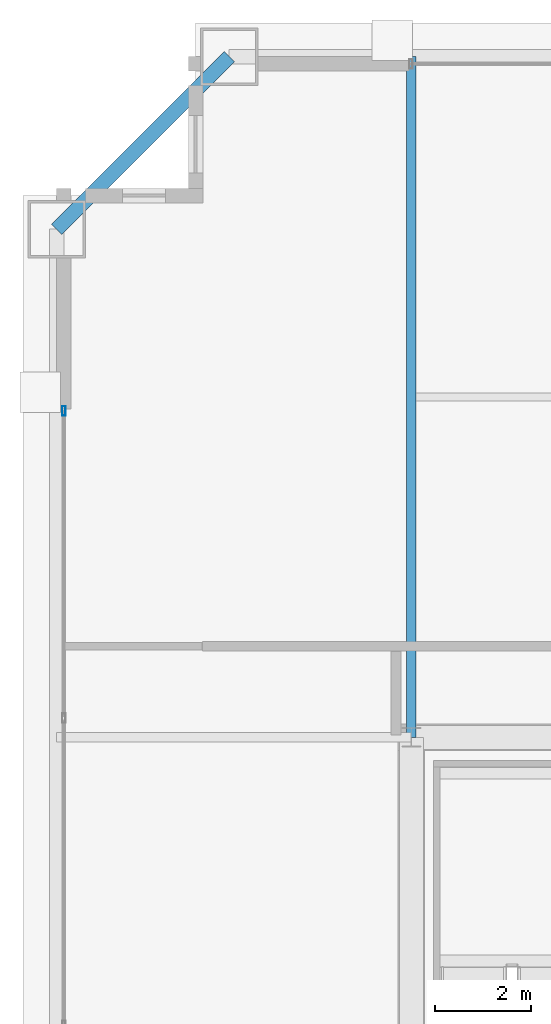
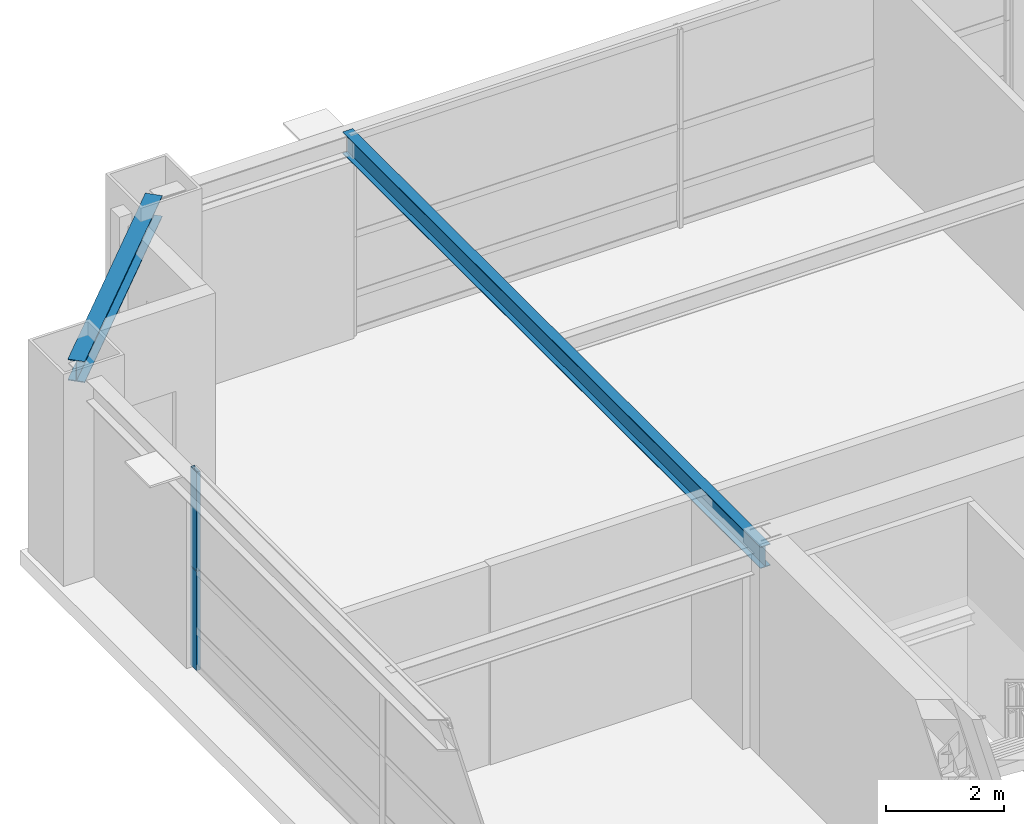
# One storey, part 16 of 26: 2 beams, 2 members, 1 element without a shape of its own.
"""IFC4 building model written with IfcOpenShell, lengths in metres."""

from ifc_helpers import new_model, si_unit, direction, frame, origin, origin_2d, place, context, subcontext, project, spatial, hollow_rectangle, i_section, extrude, source, transform, mapped, material, layer, layer_set, material_profile, profile_set, type_object, element, aggregate, save


model = new_model("IFC4")

# Units and contexts
model_context = context("Model", 3, precision=1e-05, world=origin(), true_north=direction((0.0, 1.0)))
body_context = subcontext(model_context, "Body", "Model", "MODEL_VIEW")
ifc_project = project(units=[si_unit("LENGTHUNIT", "METRE"), si_unit("AREAUNIT", "SQUARE_METRE"), si_unit("VOLUMEUNIT", "CUBIC_METRE"), si_unit("PLANEANGLEUNIT", "RADIAN"), si_unit("MASSUNIT", "GRAM", prefix="KILO"), si_unit("THERMODYNAMICTEMPERATUREUNIT", "KELVIN"), si_unit("POWERUNIT", "WATT")], contexts=[model_context])

# Site, building, storey
site_placement = place(None, origin())
site = spatial("IfcSite", under=ifc_project, at=site_placement, CompositionType="ELEMENT")
building_placement = place(site_placement, origin())
building = spatial("IfcBuilding", under=site, at=building_placement, Name="Yuzanri Waterfront Tower", CompositionType="ELEMENT")
storey_placement = place(building_placement, frame((0.0, 0.0, 259.10009765625)))
storey = spatial("IfcBuildingStorey", under=building, at=storey_placement, Name="L69", CompositionType="ELEMENT", Elevation=259.10009765625)

# Beams
ifc_material_1 = material(Name="Steel Q355B", Category="steel")
ifc_material_profile_1 = material_profile(ifc_material_1, i_section(OverallWidth=0.300048828125, OverallDepth=0.43994140625, WebThickness=0.010986328125, FlangeThickness=0.01806640625, at=origin_2d()), Name="HM 440x300x11x18")
ifc_profile_set_1 = profile_set([ifc_material_profile_1], Name="Steel Q355B")
beam_type_1 = type_object("IfcBeamType", Name="Perimeter Spandrel Q355B HM 440x300", PredefinedType="SPANDREL", material=ifc_profile_set_1)
shared_shape_1 = source(origin(), body_context, "Body", "SweptSolid", [
    extrude(i_section(OverallWidth=0.300048828125, OverallDepth=0.43994140625, WebThickness=0.010986328125, FlangeThickness=0.01806640625, at=origin_2d()), origin(), (0.0, 0.0, 1.0), 5.091064453125),
])
beam_1_placement = place(storey_placement, frame((20.0, 46.39990234375, 3.89990234375), z_axis=(-0.707130757816, -0.707082803744, 0.0), x_axis=(0.707082803744, -0.707130757816, 0.0)))
element("IfcBeam", 1, at=beam_1_placement, inside=storey, type_object=beam_type_1, Name="L69 Perimeter Spandrel N1-W3", PredefinedType="SPANDREL", context=body_context, shape_type="MappedRepresentation", body=[
    mapped(shared_shape_1, transform((0.0, 0.0, 0.0), scale=1.0)),
])
ifc_material_2 = material(Name="Steel Q355B", Category="steel")
ifc_material_profile_2 = material_profile(ifc_material_2, i_section(OverallWidth=0.199951171875, OverallDepth=0.449951171875, WebThickness=0.009033203125, FlangeThickness=0.013916015625, at=origin_2d()), Name="HN 450x200x9x14")
ifc_profile_set_2 = profile_set([ifc_material_profile_2], Name="Steel Q355B")
beam_type_2 = type_object("IfcBeamType", Name="Secondary Floor Beam Q355B HN 450x200", PredefinedType="BEAM", material=ifc_profile_set_2)
shared_shape_2 = source(origin(), body_context, "Body", "SweptSolid", [
    extrude(i_section(OverallWidth=0.199951171875, OverallDepth=0.449951171875, WebThickness=0.009033203125, FlangeThickness=0.013916015625, at=origin_2d()), origin(), (0.0, 0.0, 1.0), 14.199951171875),
])
beam_2_placement = place(storey_placement, frame((23.800048828125, 32.199951171875, 3.89501953125), z_axis=(0.0, 1.0, 0.0), x_axis=(-1.0, 0.0, 0.0)))
element("IfcBeam", 2, at=beam_2_placement, inside=storey, type_object=beam_type_2, Name="L69 North-West Core Line Beam", PredefinedType="BEAM", context=body_context, shape_type="MappedRepresentation", body=[
    mapped(shared_shape_2, transform((0.0, 0.0, 0.0), scale=1.0)),
])

# Curtain wall, members
ifc_material_3 = material(Name="Anodized Architectural Bronze", Category="metal")
ifc_layer = layer(ifc_material_3, 0.159912109375)
ifc_layer_set = layer_set([ifc_layer], Name="Anodized Architectural Bronze")
curtain_wall_type = type_object("IfcCurtainWallType", Name="Anodized Bronze Sky-Lobby Triple-Glazed Feature Curtain Wall 7500", PredefinedType="NOTDEFINED", material=ifc_layer_set)
curtain_wall_placement = place(storey_placement, origin())
curtain_wall = element("IfcCurtainWall", 3, at=curtain_wall_placement, inside=storey, type_object=curtain_wall_type, Name="L69 Curtain Wall CW-L69-WR", PredefinedType="NOTDEFINED")
ifc_material_4 = material(Name="Anodized Architectural Bronze", Category="metal")
ifc_material_profile_3 = material_profile(ifc_material_4, hollow_rectangle(XDim=0.074951171875, YDim=0.199951171875, WallThickness=0.00390625, at=origin_2d()), Name="CWM 75x200")
ifc_profile_set_3 = profile_set([ifc_material_profile_3], Name="Anodized Architectural Bronze")
member_type = type_object("IfcMemberType", Name="Anodized Bronze Primary Curtain-Wall Mullion 75x200", PredefinedType="MULLION", material=ifc_profile_set_3)
shared_shape_3 = source(origin(), body_context, "Body", "SweptSolid", [
    extrude(hollow_rectangle(XDim=0.074951171875, YDim=0.199951171875, WallThickness=0.00390625, at=origin_2d()), origin(), (0.0, 0.0, 1.0), 2.057861328125),
])
member_1_placement = place(storey_placement, frame((16.550048828125, 39.010009765625, 0.0), z_axis=(0.0, 0.0, 1.0), x_axis=(1.0, 0.0, 0.0)))
member_1 = element("IfcMember", 4, at=member_1_placement, type_object=member_type, Name="CW-L69-WR Lower Mullion 02", PredefinedType="MULLION", context=body_context, shape_type="MappedRepresentation", body=[
    mapped(shared_shape_3, transform((0.0, 0.0, 0.0), scale=1.0)),
])
member_2_placement = place(storey_placement, frame((16.550048828125, 39.010009765625, 2.06201171875), z_axis=(0.0, 0.0, 1.0), x_axis=(1.0, 0.0, 0.0)))
member_2 = element("IfcMember", 5, at=member_2_placement, type_object=member_type, Name="CW-L69-WR Upper Mullion 02", PredefinedType="MULLION", context=body_context, shape_type="MappedRepresentation", body=[
    mapped(shared_shape_3, transform((0.0, 0.0, 0.0), scale=1.0)),
])
aggregate(curtain_wall, [member_1, member_2])

save(model, "model.ifc")
